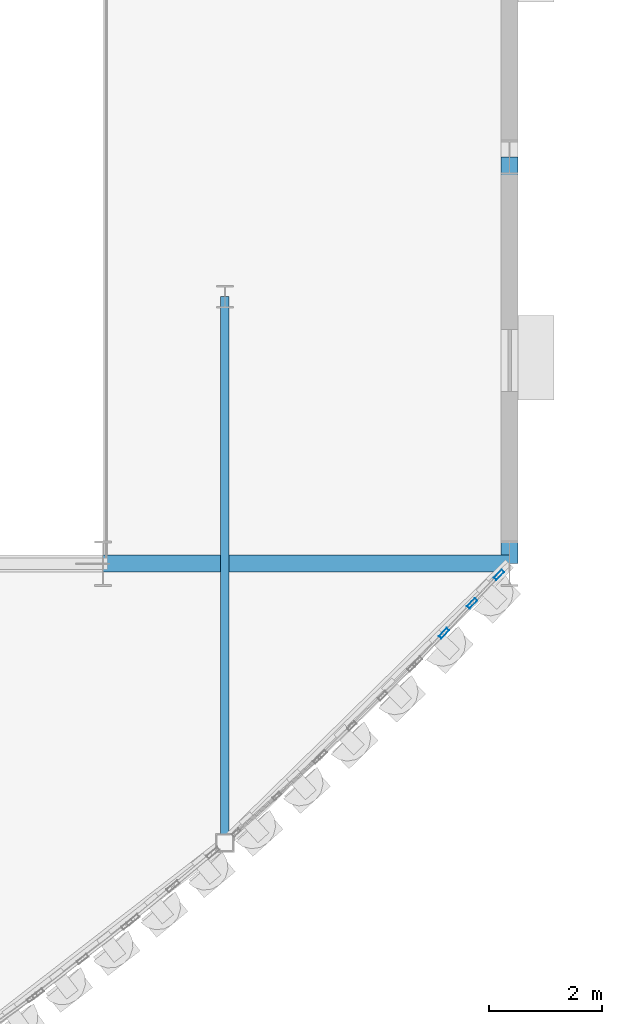
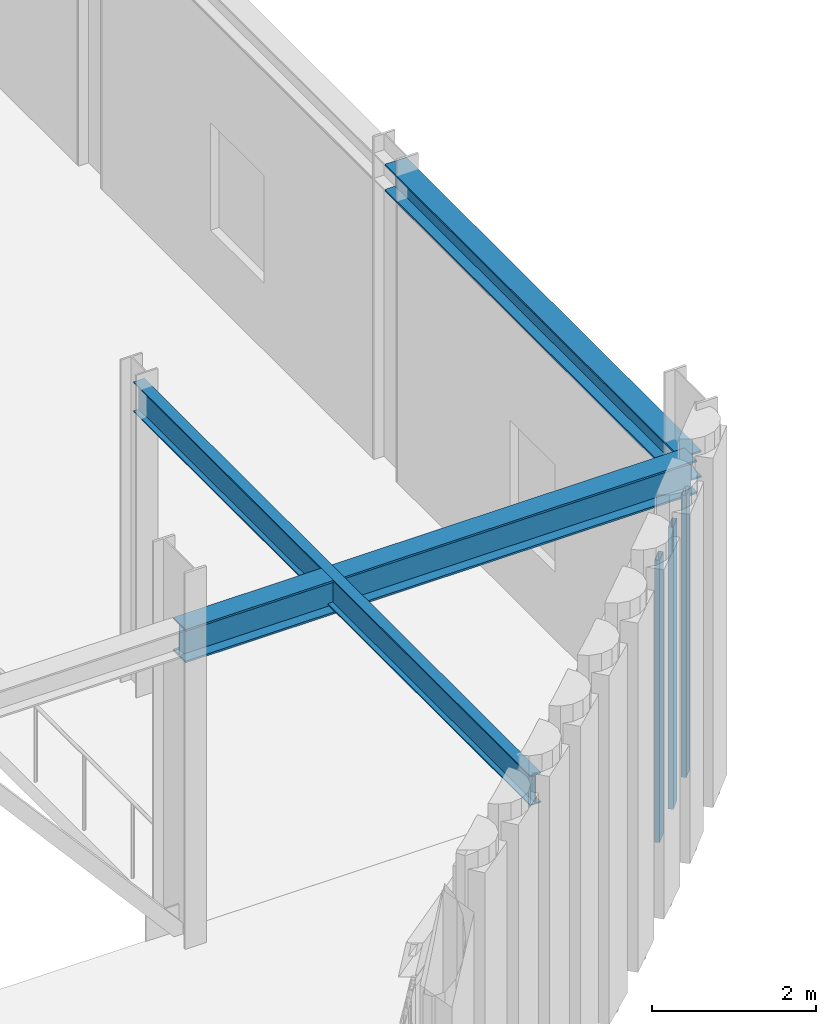
# One storey, part 60 of 126: 3 beams, 3 members, 1 element without a shape of its own.
"""IFC4 building model written with IfcOpenShell, lengths in metres."""

from ifc_helpers import new_model, si_unit, direction, frame, origin, origin_2d, place, context, subcontext, project, spatial, hollow_rectangle, i_section, extrude, material, layer, layer_set, material_profile, profile_set, type_object, element, aggregate, save


model = new_model("IFC4")

# Units and contexts
model_context = context("Model", 3, precision=1e-05, world=origin(), true_north=direction((0.0, 1.0)))
body_context = subcontext(model_context, "Body", "Model", "MODEL_VIEW")
ifc_project = project(units=[si_unit("LENGTHUNIT", "METRE"), si_unit("AREAUNIT", "SQUARE_METRE"), si_unit("VOLUMEUNIT", "CUBIC_METRE"), si_unit("PLANEANGLEUNIT", "RADIAN"), si_unit("MASSUNIT", "GRAM", prefix="KILO")], contexts=[model_context])

# Site, building, storey
site_placement = place(None, origin())
site = spatial("IfcSite", under=ifc_project, at=site_placement, CompositionType="ELEMENT")
building_placement = place(site_placement, origin())
building = spatial("IfcBuilding", under=site, at=building_placement, Name="Solvadek Multi-Sports Hall", CompositionType="ELEMENT")
storey_placement = place(building_placement, frame((0.0, 0.0, 9.60009765625)))
storey = spatial("IfcBuildingStorey", under=building, at=storey_placement, Name="L02", CompositionType="ELEMENT", Elevation=9.60009765625)

# Curtain wall, members
ifc_material_1 = material(Name="Anodised aluminium", Category="aluminium")
ifc_layer = layer(ifc_material_1, 0.159912109375, Name="Anodised aluminium")
ifc_layer_set = layer_set([ifc_layer], Name="Anodised aluminium")
curtain_wall_type = type_object("IfcCurtainWallType", Name="ENV-CW-218X420", PredefinedType="USERDEFINED", material=ifc_layer_set)
curtain_wall_placement = place(storey_placement, origin())
curtain_wall = element("IfcCurtainWall", 1, at=curtain_wall_placement, inside=storey, type_object=curtain_wall_type, Name="L02 Crescent Curved Curtain Wall #114", ObjectType="CURTAIN WALL", PredefinedType="USERDEFINED")
ifc_material_profile_1 = material_profile(ifc_material_1, hollow_rectangle(XDim=0.06494140625, YDim=0.199951171875, WallThickness=0.0048828125, at=origin_2d()), Name="ALU-M 200x65x5")
ifc_profile_set_1 = profile_set([ifc_material_profile_1], Name="Anodised aluminium")
member_type = type_object("IfcMemberType", Name="ENV-CWM-03", PredefinedType="MULLION", material=ifc_profile_set_1)
member_1_placement = place(storey_placement, frame((135.638916015625, 4.76708984375, 0.0), z_axis=(0.0, 0.0, 1.0), x_axis=(-0.727999350669, 0.685577818651, 0.0)))
member_1 = element("IfcMember", 2, at=member_1_placement, type_object=member_type, Name="CW-37 mullion 2", PredefinedType="MULLION", context=body_context, shape_type="SweptSolid", body=[
    extrude(hollow_rectangle(XDim=0.06494140625, YDim=0.199951171875, WallThickness=0.0048828125, at=origin_2d()), origin(), (0.0, 0.0, 1.0), 4.199951171875),
])
member_2_placement = place(storey_placement, frame((136.13720703125, 5.296142578125, 0.0), z_axis=(0.0, 0.0, 1.0), x_axis=(-0.727999350669, 0.685577818651, 0.0)))
member_2 = element("IfcMember", 3, at=member_2_placement, type_object=member_type, Name="CW-37 mullion 3", PredefinedType="MULLION", context=body_context, shape_type="SweptSolid", body=[
    extrude(hollow_rectangle(XDim=0.06494140625, YDim=0.199951171875, WallThickness=0.0048828125, at=origin_2d()), origin(), (0.0, 0.0, 1.0), 4.199951171875),
])
member_3_placement = place(storey_placement, frame((136.61328125, 5.8017578125, 0.0), z_axis=(0.0, 0.0, 1.0), x_axis=(-0.727999350669, 0.685577818651, 0.0)))
member_3 = element("IfcMember", 4, at=member_3_placement, type_object=member_type, Name="CW-37 mullion 4", PredefinedType="MULLION", context=body_context, shape_type="SweptSolid", body=[
    extrude(hollow_rectangle(XDim=0.06494140625, YDim=0.199951171875, WallThickness=0.0048828125, at=origin_2d()), origin(), (0.0, 0.0, 1.0), 4.199951171875),
])
aggregate(curtain_wall, [member_1, member_2, member_3])

# Beams
ifc_material_2 = material(Name="Steel E350 (350 MPa)", Category="steel")
ifc_material_profile_2 = material_profile(ifc_material_2, i_section(OverallWidth=0.14990234375, OverallDepth=0.449951171875, WebThickness=0.009521484375, FlangeThickness=0.017333984375, at=origin_2d()), Name="ISMB 450")
ifc_profile_set_2 = profile_set([ifc_material_profile_2], Name="Steel E350 (350 MPa)")
beam_type_1 = type_object("IfcBeamType", Name="STR-BM-ISMB450", PredefinedType="BEAM", material=ifc_profile_set_2)
beam_1_placement = place(storey_placement, frame((131.760009765625, 1.05615234375, 4.3349609375), z_axis=(0.0, 1.0, 0.0), x_axis=(-1.0, 0.0, 0.0)))
element("IfcBeam", 5, at=beam_1_placement, inside=storey, type_object=beam_type_1, Name="L02 Girder B-09 #1595", PredefinedType="BEAM", context=body_context, shape_type="SweptSolid", body=[
    extrude(i_section(OverallWidth=0.14990234375, OverallDepth=0.449951171875, WebThickness=0.009521484375, FlangeThickness=0.017333984375, at=origin_2d()), origin(), (0.0, 0.0, 1.0), 9.671875),
])
ifc_material_profile_3 = material_profile(ifc_material_2, i_section(OverallWidth=0.300048828125, OverallDepth=0.39990234375, WebThickness=0.013427734375, FlangeThickness=0.02392578125, at=origin_2d()), Name="WPB 400")
ifc_profile_set_3 = profile_set([ifc_material_profile_3], Name="Steel E350 (350 MPa)")
beam_type_2 = type_object("IfcBeamType", Name="STR-SPN-WPB400", PredefinedType="SPANDREL", material=ifc_profile_set_3)
beam_2_placement = place(storey_placement, frame((136.800048828125, 6.0, 4.35986328125), z_axis=(0.0, 1.0, 0.0), x_axis=(-1.0, 0.0, 0.0)))
element("IfcBeam", 6, at=beam_2_placement, inside=storey, type_object=beam_type_2, Name="L02 Girder SP-02 #1596", PredefinedType="SPANDREL", context=body_context, shape_type="SweptSolid", body=[
    extrude(i_section(OverallWidth=0.300048828125, OverallDepth=0.39990234375, WebThickness=0.013427734375, FlangeThickness=0.02392578125, at=origin_2d()), origin(), (0.0, 0.0, 1.0), 7.199951171875),
])
ifc_material_profile_4 = material_profile(ifc_material_2, i_section(OverallWidth=0.300048828125, OverallDepth=0.5, WebThickness=0.014404296875, FlangeThickness=0.028076171875, at=origin_2d()), Name="WPB 500")
ifc_profile_set_4 = profile_set([ifc_material_profile_4], Name="Steel E350 (350 MPa)")
beam_type_3 = type_object("IfcBeamType", Name="STR-SPN-WPB500", PredefinedType="SPANDREL", material=ifc_profile_set_4)
beam_3_placement = place(storey_placement, frame((129.60009765625, 6.0, 4.309814453125), z_axis=(1.0, 0.0, 0.0), x_axis=(0.0, 1.0, 0.0)))
element("IfcBeam", 7, at=beam_3_placement, inside=storey, type_object=beam_type_3, Name="L02 Girder SP-01 #1319", PredefinedType="SPANDREL", context=body_context, shape_type="SweptSolid", body=[
    extrude(i_section(OverallWidth=0.300048828125, OverallDepth=0.5, WebThickness=0.014404296875, FlangeThickness=0.028076171875, at=origin_2d()), origin(), (0.0, 0.0, 1.0), 7.199951171875),
])

save(model, "model.ifc")
